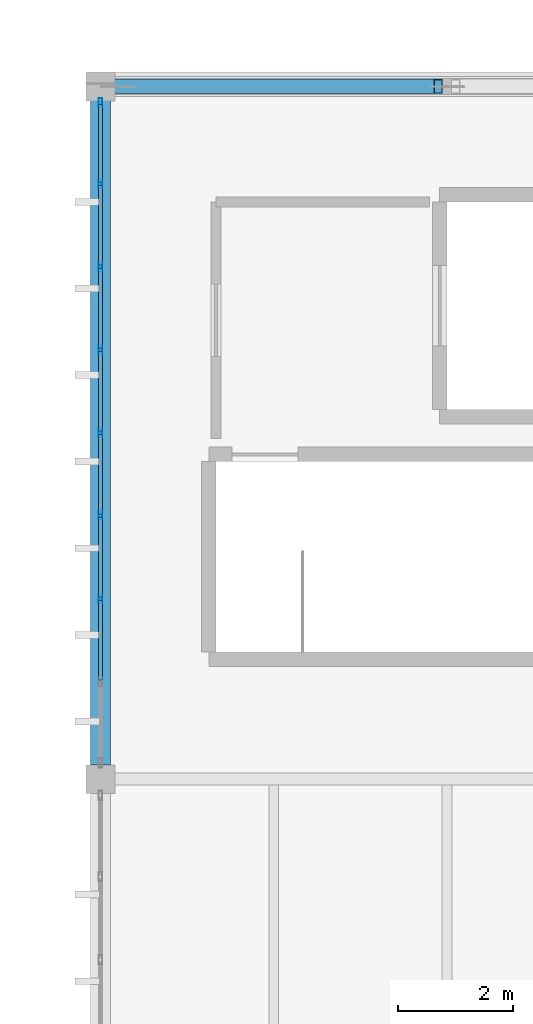
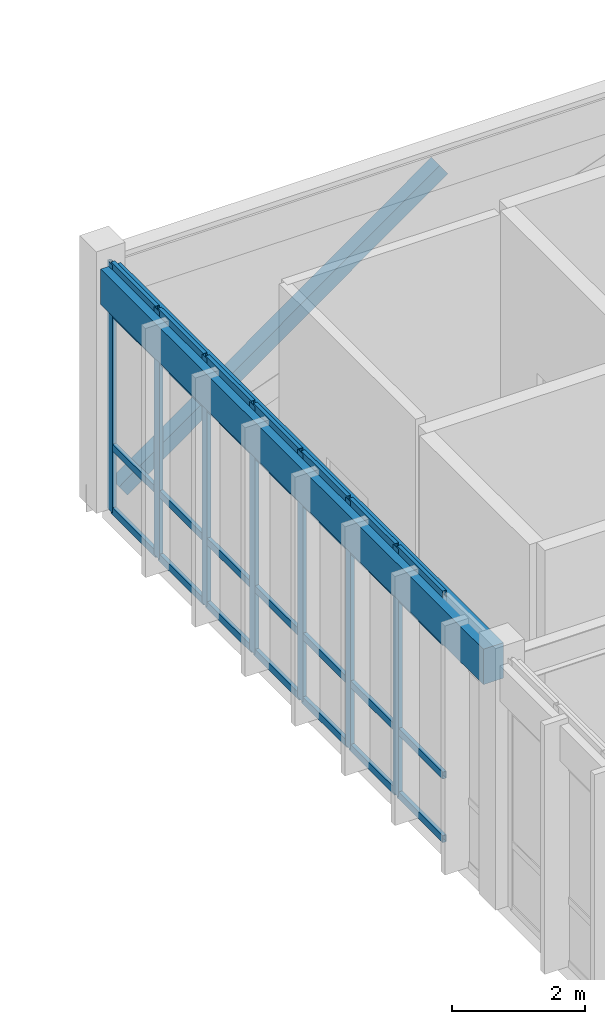
# One storey, part 75 of 236: 36 members, 1 beam, 1 element without a shape of its own.
"""IFC4 building model written with IfcOpenShell, lengths in metres."""

from ifc_helpers import new_model, si_unit, direction, frame, origin, origin_2d, place, context, subcontext, project, spatial, rectangle, hollow_rectangle, extrude, material, layer, layer_set, material_profile, profile_set, type_object, element, aggregate, save


model = new_model("IFC4")

# Units and contexts
model_context = context("Model", 3, precision=1e-05, world=origin(), true_north=direction((0.0, 1.0)))
body_context = subcontext(model_context, "Body", "Model", "MODEL_VIEW")
ifc_project = project(units=[si_unit("LENGTHUNIT", "METRE"), si_unit("AREAUNIT", "SQUARE_METRE"), si_unit("VOLUMEUNIT", "CUBIC_METRE"), si_unit("PLANEANGLEUNIT", "RADIAN"), si_unit("MASSUNIT", "GRAM", prefix="KILO")], contexts=[model_context])

# Site, building, storey
site_placement = place(None, origin())
site = spatial("IfcSite", under=ifc_project, at=site_placement, CompositionType="ELEMENT")
building_placement = place(site_placement, origin())
building = spatial("IfcBuilding", under=site, at=building_placement, Name="Pandanus Reach Market Hall", CompositionType="ELEMENT")
storey_placement = place(building_placement, frame((0.0, 0.0, 5.39990234375)))
storey = spatial("IfcBuildingStorey", under=building, at=storey_placement, Name="L01", CompositionType="ELEMENT", Elevation=5.39990234375)

# Beam
ifc_material_1 = material(Name="Concrete N40 (40 MPa)", Category="concrete")
ifc_material_profile_1 = material_profile(ifc_material_1, rectangle(XDim=0.35009765625, YDim=0.64990234375, at=origin_2d()), Name="RC350x650", Category="LoadBearing")
ifc_profile_set_1 = profile_set([ifc_material_profile_1], Name="Concrete N40 (40 MPa)")
beam_type = type_object("IfcBeamType", Name="BM-RC350-E", PredefinedType="SPANDREL", material=ifc_profile_set_1)
beam_placement = place(storey_placement, frame((60.0, 108.248046875, 4.135009765625), z_axis=(0.0, 1.0, 0.0), x_axis=(-1.0, 0.0, 0.0)))
element("IfcBeam", 1, at=beam_placement, inside=storey, type_object=beam_type, Name="Framing beam BM-RC350-E L01.870", PredefinedType="SPANDREL", context=body_context, shape_type="SweptSolid", body=[
    extrude(rectangle(XDim=0.35009765625, YDim=0.64990234375, at=origin_2d()), origin(), (0.0, 0.0, 1.0), 11.50390625),
])

# Member
ifc_material_2 = material(Name="Steel Grade 350 (350 MPa)", Category="steel")
ifc_material_profile_2 = material_profile(ifc_material_2, hollow_rectangle(XDim=0.25, YDim=0.25, WallThickness=0.010009765625, at=origin_2d()), Name="250x250x10.0SHS", Category="LoadBearing")
ifc_profile_set_2 = profile_set([ifc_material_profile_2], Name="Steel Grade 350 (350 MPa)")
member_type_1 = type_object("IfcMemberType", Name="BR-SHS250-E", PredefinedType="BRACE", material=ifc_profile_set_2)
member_1_placement = place(storey_placement, frame((60.2900390625, 120.0, 0.150146484375), z_axis=(0.815223104533, 0.0, 0.579147036456), x_axis=(0.0, 1.0, 0.0)))
element("IfcMember", 2, at=member_1_placement, inside=storey, type_object=member_type_1, Name="Chevron brace BR-SHS250-E 7A", PredefinedType="BRACE", context=body_context, shape_type="SweptSolid", body=[
    extrude(hollow_rectangle(XDim=0.25, YDim=0.25, WallThickness=0.010009765625, at=origin_2d()), origin(), (0.0, 0.0, 1.0), 6.8203125),
])

# Curtain wall, members
ifc_material_3 = material(Name="Bronze anodised aluminium and low-E glass", Category="aluminium")
ifc_layer = layer(ifc_material_3, 0.159912109375, Name="CW-38")
ifc_layer_set = layer_set([ifc_layer], Name="Bronze anodised aluminium and low-E glass")
curtain_wall_type = type_object("IfcCurtainWallType", Name="CW-38", PredefinedType="NOTDEFINED", material=ifc_layer_set)
curtain_wall_placement = place(storey_placement, origin())
curtain_wall = element("IfcCurtainWall", 3, at=curtain_wall_placement, inside=storey, type_object=curtain_wall_type, Name="Glazed curtain wall CW-38 CW-0151", PredefinedType="NOTDEFINED")
ifc_material_4 = material(Name="Bronze anodised aluminium", Category="aluminium")
ifc_material_profile_3 = material_profile(ifc_material_4, hollow_rectangle(XDim=0.06494140625, YDim=0.159912109375, WallThickness=0.00390625, at=origin_2d()), Name="ALU65x160", Category="LoadBearing")
ifc_profile_set_3 = profile_set([ifc_material_profile_3], Name="Bronze anodised aluminium")
member_type_2 = type_object("IfcMemberType", Name="CW-M1", PredefinedType="MULLION", material=ifc_profile_set_3)
member_2_placement = place(storey_placement, frame((60.0, 111.125, 0.0), z_axis=(0.0, 0.0, 1.0), x_axis=(-1.0, 0.0, 0.0)))
member_2 = element("IfcMember", 4, at=member_2_placement, type_object=member_type_2, Name="CW-38 mullion 3", PredefinedType="MULLION", context=body_context, shape_type="SweptSolid", body=[
    extrude(hollow_rectangle(XDim=0.06494140625, YDim=0.159912109375, WallThickness=0.00390625, at=origin_2d()), origin(), (0.0, 0.0, 1.0), 4.550048828125),
])
member_3_placement = place(storey_placement, frame((60.0, 112.5625, 0.0), z_axis=(0.0, 0.0, 1.0), x_axis=(-1.0, 0.0, 0.0)))
member_3 = element("IfcMember", 5, at=member_3_placement, type_object=member_type_2, Name="CW-38 mullion 4", PredefinedType="MULLION", context=body_context, shape_type="SweptSolid", body=[
    extrude(hollow_rectangle(XDim=0.06494140625, YDim=0.159912109375, WallThickness=0.00390625, at=origin_2d()), origin(), (0.0, 0.0, 1.0), 4.550048828125),
])
member_4_placement = place(storey_placement, frame((60.0, 114.0, 0.0), z_axis=(0.0, 0.0, 1.0), x_axis=(-1.0, 0.0, 0.0)))
member_4 = element("IfcMember", 6, at=member_4_placement, type_object=member_type_2, Name="CW-38 mullion 5", PredefinedType="MULLION", context=body_context, shape_type="SweptSolid", body=[
    extrude(hollow_rectangle(XDim=0.06494140625, YDim=0.159912109375, WallThickness=0.00390625, at=origin_2d()), origin(), (0.0, 0.0, 1.0), 4.550048828125),
])
member_5_placement = place(storey_placement, frame((60.0, 115.4375, 0.0), z_axis=(0.0, 0.0, 1.0), x_axis=(-1.0, 0.0, 0.0)))
member_5 = element("IfcMember", 7, at=member_5_placement, type_object=member_type_2, Name="CW-38 mullion 6", PredefinedType="MULLION", context=body_context, shape_type="SweptSolid", body=[
    extrude(hollow_rectangle(XDim=0.06494140625, YDim=0.159912109375, WallThickness=0.00390625, at=origin_2d()), origin(), (0.0, 0.0, 1.0), 4.550048828125),
])
member_6_placement = place(storey_placement, frame((60.0, 116.875, 0.0), z_axis=(0.0, 0.0, 1.0), x_axis=(-1.0, 0.0, 0.0)))
member_6 = element("IfcMember", 8, at=member_6_placement, type_object=member_type_2, Name="CW-38 mullion 7", PredefinedType="MULLION", context=body_context, shape_type="SweptSolid", body=[
    extrude(hollow_rectangle(XDim=0.06494140625, YDim=0.159912109375, WallThickness=0.00390625, at=origin_2d()), origin(), (0.0, 0.0, 1.0), 4.550048828125),
])
member_7_placement = place(storey_placement, frame((60.0, 118.3125, 0.0), z_axis=(0.0, 0.0, 1.0), x_axis=(-1.0, 0.0, 0.0)))
member_7 = element("IfcMember", 9, at=member_7_placement, type_object=member_type_2, Name="CW-38 mullion 8", PredefinedType="MULLION", context=body_context, shape_type="SweptSolid", body=[
    extrude(hollow_rectangle(XDim=0.06494140625, YDim=0.159912109375, WallThickness=0.00390625, at=origin_2d()), origin(), (0.0, 0.0, 1.0), 4.550048828125),
])
member_8_placement = place(storey_placement, frame((60.0, 119.717529296875, 0.0), z_axis=(0.0, 0.0, 1.0), x_axis=(-1.0, 0.0, 0.0)))
member_8 = element("IfcMember", 10, at=member_8_placement, type_object=member_type_2, Name="CW-38 mullion 9", PredefinedType="MULLION", context=body_context, shape_type="SweptSolid", body=[
    extrude(hollow_rectangle(XDim=0.06494140625, YDim=0.159912109375, WallThickness=0.00390625, at=origin_2d()), origin(), (0.0, 0.0, 1.0), 4.550048828125),
])
ifc_material_profile_4 = material_profile(ifc_material_4, hollow_rectangle(XDim=0.06494140625, YDim=0.1298828125, WallThickness=0.00390625, at=origin_2d()), Name="ALU65x130", Category="LoadBearing")
ifc_profile_set_4 = profile_set([ifc_material_profile_4], Name="Bronze anodised aluminium")
member_type_3 = type_object("IfcMemberType", Name="CW-T1", PredefinedType="USERDEFINED", material=ifc_profile_set_4)
member_9_placement = place(storey_placement, frame((60.0, 109.719970703125, 0.03271484375), z_axis=(0.0, 1.0, 0.0), x_axis=(-1.0, 0.0, 0.0)))
member_9 = element("IfcMember", 11, at=member_9_placement, type_object=member_type_3, Name="CW-38 transom 2.1", ObjectType="TRANSOM", PredefinedType="USERDEFINED", context=body_context, shape_type="SweptSolid", body=[
    extrude(hollow_rectangle(XDim=0.06494140625, YDim=0.1298828125, WallThickness=0.00390625, at=origin_2d()), origin(), (0.0, 0.0, 1.0), 1.37255859375),
])
member_10_placement = place(storey_placement, frame((60.0, 109.719970703125, 1.2001953125), z_axis=(0.0, 1.0, 0.0), x_axis=(-1.0, 0.0, 0.0)))
member_10 = element("IfcMember", 12, at=member_10_placement, type_object=member_type_3, Name="CW-38 transom 2.2", ObjectType="TRANSOM", PredefinedType="USERDEFINED", context=body_context, shape_type="SweptSolid", body=[
    extrude(hollow_rectangle(XDim=0.06494140625, YDim=0.1298828125, WallThickness=0.00390625, at=origin_2d()), origin(), (0.0, 0.0, 1.0), 1.37255859375),
])
member_11_placement = place(storey_placement, frame((60.0, 109.719970703125, 3.650146484375), z_axis=(0.0, 1.0, 0.0), x_axis=(-1.0, 0.0, 0.0)))
member_11 = element("IfcMember", 13, at=member_11_placement, type_object=member_type_3, Name="CW-38 transom 2.3", ObjectType="TRANSOM", PredefinedType="USERDEFINED", context=body_context, shape_type="SweptSolid", body=[
    extrude(hollow_rectangle(XDim=0.06494140625, YDim=0.1298828125, WallThickness=0.00390625, at=origin_2d()), origin(), (0.0, 0.0, 1.0), 1.37255859375),
])
member_12_placement = place(storey_placement, frame((60.0, 109.719970703125, 4.517578125), z_axis=(0.0, 1.0, 0.0), x_axis=(-1.0, 0.0, 0.0)))
member_12 = element("IfcMember", 14, at=member_12_placement, type_object=member_type_3, Name="CW-38 transom 2.4", ObjectType="TRANSOM", PredefinedType="USERDEFINED", context=body_context, shape_type="SweptSolid", body=[
    extrude(hollow_rectangle(XDim=0.06494140625, YDim=0.1298828125, WallThickness=0.00390625, at=origin_2d()), origin(), (0.0, 0.0, 1.0), 1.37255859375),
])
member_13_placement = place(storey_placement, frame((60.0, 111.157470703125, 0.03271484375), z_axis=(0.0, 1.0, 0.0), x_axis=(-1.0, 0.0, 0.0)))
member_13 = element("IfcMember", 15, at=member_13_placement, type_object=member_type_3, Name="CW-38 transom 3.1", ObjectType="TRANSOM", PredefinedType="USERDEFINED", context=body_context, shape_type="SweptSolid", body=[
    extrude(hollow_rectangle(XDim=0.06494140625, YDim=0.1298828125, WallThickness=0.00390625, at=origin_2d()), origin(), (0.0, 0.0, 1.0), 1.37255859375),
])
member_14_placement = place(storey_placement, frame((60.0, 111.157470703125, 1.2001953125), z_axis=(0.0, 1.0, 0.0), x_axis=(-1.0, 0.0, 0.0)))
member_14 = element("IfcMember", 16, at=member_14_placement, type_object=member_type_3, Name="CW-38 transom 3.2", ObjectType="TRANSOM", PredefinedType="USERDEFINED", context=body_context, shape_type="SweptSolid", body=[
    extrude(hollow_rectangle(XDim=0.06494140625, YDim=0.1298828125, WallThickness=0.00390625, at=origin_2d()), origin(), (0.0, 0.0, 1.0), 1.37255859375),
])
member_15_placement = place(storey_placement, frame((60.0, 111.157470703125, 3.650146484375), z_axis=(0.0, 1.0, 0.0), x_axis=(-1.0, 0.0, 0.0)))
member_15 = element("IfcMember", 17, at=member_15_placement, type_object=member_type_3, Name="CW-38 transom 3.3", ObjectType="TRANSOM", PredefinedType="USERDEFINED", context=body_context, shape_type="SweptSolid", body=[
    extrude(hollow_rectangle(XDim=0.06494140625, YDim=0.1298828125, WallThickness=0.00390625, at=origin_2d()), origin(), (0.0, 0.0, 1.0), 1.37255859375),
])
member_16_placement = place(storey_placement, frame((60.0, 111.157470703125, 4.517578125), z_axis=(0.0, 1.0, 0.0), x_axis=(-1.0, 0.0, 0.0)))
member_16 = element("IfcMember", 18, at=member_16_placement, type_object=member_type_3, Name="CW-38 transom 3.4", ObjectType="TRANSOM", PredefinedType="USERDEFINED", context=body_context, shape_type="SweptSolid", body=[
    extrude(hollow_rectangle(XDim=0.06494140625, YDim=0.1298828125, WallThickness=0.00390625, at=origin_2d()), origin(), (0.0, 0.0, 1.0), 1.37255859375),
])
member_17_placement = place(storey_placement, frame((60.0, 112.594970703125, 0.03271484375), z_axis=(0.0, 1.0, 0.0), x_axis=(-1.0, 0.0, 0.0)))
member_17 = element("IfcMember", 19, at=member_17_placement, type_object=member_type_3, Name="CW-38 transom 4.1", ObjectType="TRANSOM", PredefinedType="USERDEFINED", context=body_context, shape_type="SweptSolid", body=[
    extrude(hollow_rectangle(XDim=0.06494140625, YDim=0.1298828125, WallThickness=0.00390625, at=origin_2d()), origin(), (0.0, 0.0, 1.0), 1.37255859375),
])
member_18_placement = place(storey_placement, frame((60.0, 112.594970703125, 1.2001953125), z_axis=(0.0, 1.0, 0.0), x_axis=(-1.0, 0.0, 0.0)))
member_18 = element("IfcMember", 20, at=member_18_placement, type_object=member_type_3, Name="CW-38 transom 4.2", ObjectType="TRANSOM", PredefinedType="USERDEFINED", context=body_context, shape_type="SweptSolid", body=[
    extrude(hollow_rectangle(XDim=0.06494140625, YDim=0.1298828125, WallThickness=0.00390625, at=origin_2d()), origin(), (0.0, 0.0, 1.0), 1.37255859375),
])
member_19_placement = place(storey_placement, frame((60.0, 112.594970703125, 3.650146484375), z_axis=(0.0, 1.0, 0.0), x_axis=(-1.0, 0.0, 0.0)))
member_19 = element("IfcMember", 21, at=member_19_placement, type_object=member_type_3, Name="CW-38 transom 4.3", ObjectType="TRANSOM", PredefinedType="USERDEFINED", context=body_context, shape_type="SweptSolid", body=[
    extrude(hollow_rectangle(XDim=0.06494140625, YDim=0.1298828125, WallThickness=0.00390625, at=origin_2d()), origin(), (0.0, 0.0, 1.0), 1.37255859375),
])
member_20_placement = place(storey_placement, frame((60.0, 112.594970703125, 4.517578125), z_axis=(0.0, 1.0, 0.0), x_axis=(-1.0, 0.0, 0.0)))
member_20 = element("IfcMember", 22, at=member_20_placement, type_object=member_type_3, Name="CW-38 transom 4.4", ObjectType="TRANSOM", PredefinedType="USERDEFINED", context=body_context, shape_type="SweptSolid", body=[
    extrude(hollow_rectangle(XDim=0.06494140625, YDim=0.1298828125, WallThickness=0.00390625, at=origin_2d()), origin(), (0.0, 0.0, 1.0), 1.37255859375),
])
member_21_placement = place(storey_placement, frame((60.0, 114.032470703125, 0.03271484375), z_axis=(0.0, 1.0, 0.0), x_axis=(-1.0, 0.0, 0.0)))
member_21 = element("IfcMember", 23, at=member_21_placement, type_object=member_type_3, Name="CW-38 transom 5.1", ObjectType="TRANSOM", PredefinedType="USERDEFINED", context=body_context, shape_type="SweptSolid", body=[
    extrude(hollow_rectangle(XDim=0.06494140625, YDim=0.1298828125, WallThickness=0.00390625, at=origin_2d()), origin(), (0.0, 0.0, 1.0), 1.37255859375),
])
member_22_placement = place(storey_placement, frame((60.0, 114.032470703125, 1.2001953125), z_axis=(0.0, 1.0, 0.0), x_axis=(-1.0, 0.0, 0.0)))
member_22 = element("IfcMember", 24, at=member_22_placement, type_object=member_type_3, Name="CW-38 transom 5.2", ObjectType="TRANSOM", PredefinedType="USERDEFINED", context=body_context, shape_type="SweptSolid", body=[
    extrude(hollow_rectangle(XDim=0.06494140625, YDim=0.1298828125, WallThickness=0.00390625, at=origin_2d()), origin(), (0.0, 0.0, 1.0), 1.37255859375),
])
member_23_placement = place(storey_placement, frame((60.0, 114.032470703125, 3.650146484375), z_axis=(0.0, 1.0, 0.0), x_axis=(-1.0, 0.0, 0.0)))
member_23 = element("IfcMember", 25, at=member_23_placement, type_object=member_type_3, Name="CW-38 transom 5.3", ObjectType="TRANSOM", PredefinedType="USERDEFINED", context=body_context, shape_type="SweptSolid", body=[
    extrude(hollow_rectangle(XDim=0.06494140625, YDim=0.1298828125, WallThickness=0.00390625, at=origin_2d()), origin(), (0.0, 0.0, 1.0), 1.37255859375),
])
member_24_placement = place(storey_placement, frame((60.0, 114.032470703125, 4.517578125), z_axis=(0.0, 1.0, 0.0), x_axis=(-1.0, 0.0, 0.0)))
member_24 = element("IfcMember", 26, at=member_24_placement, type_object=member_type_3, Name="CW-38 transom 5.4", ObjectType="TRANSOM", PredefinedType="USERDEFINED", context=body_context, shape_type="SweptSolid", body=[
    extrude(hollow_rectangle(XDim=0.06494140625, YDim=0.1298828125, WallThickness=0.00390625, at=origin_2d()), origin(), (0.0, 0.0, 1.0), 1.37255859375),
])
member_25_placement = place(storey_placement, frame((60.0, 115.469970703125, 0.03271484375), z_axis=(0.0, 1.0, 0.0), x_axis=(-1.0, 0.0, 0.0)))
member_25 = element("IfcMember", 27, at=member_25_placement, type_object=member_type_3, Name="CW-38 transom 6.1", ObjectType="TRANSOM", PredefinedType="USERDEFINED", context=body_context, shape_type="SweptSolid", body=[
    extrude(hollow_rectangle(XDim=0.06494140625, YDim=0.1298828125, WallThickness=0.00390625, at=origin_2d()), origin(), (0.0, 0.0, 1.0), 1.37255859375),
])
member_26_placement = place(storey_placement, frame((60.0, 115.469970703125, 1.2001953125), z_axis=(0.0, 1.0, 0.0), x_axis=(-1.0, 0.0, 0.0)))
member_26 = element("IfcMember", 28, at=member_26_placement, type_object=member_type_3, Name="CW-38 transom 6.2", ObjectType="TRANSOM", PredefinedType="USERDEFINED", context=body_context, shape_type="SweptSolid", body=[
    extrude(hollow_rectangle(XDim=0.06494140625, YDim=0.1298828125, WallThickness=0.00390625, at=origin_2d()), origin(), (0.0, 0.0, 1.0), 1.37255859375),
])
member_27_placement = place(storey_placement, frame((60.0, 115.469970703125, 3.650146484375), z_axis=(0.0, 1.0, 0.0), x_axis=(-1.0, 0.0, 0.0)))
member_27 = element("IfcMember", 29, at=member_27_placement, type_object=member_type_3, Name="CW-38 transom 6.3", ObjectType="TRANSOM", PredefinedType="USERDEFINED", context=body_context, shape_type="SweptSolid", body=[
    extrude(hollow_rectangle(XDim=0.06494140625, YDim=0.1298828125, WallThickness=0.00390625, at=origin_2d()), origin(), (0.0, 0.0, 1.0), 1.37255859375),
])
member_28_placement = place(storey_placement, frame((60.0, 115.469970703125, 4.517578125), z_axis=(0.0, 1.0, 0.0), x_axis=(-1.0, 0.0, 0.0)))
member_28 = element("IfcMember", 30, at=member_28_placement, type_object=member_type_3, Name="CW-38 transom 6.4", ObjectType="TRANSOM", PredefinedType="USERDEFINED", context=body_context, shape_type="SweptSolid", body=[
    extrude(hollow_rectangle(XDim=0.06494140625, YDim=0.1298828125, WallThickness=0.00390625, at=origin_2d()), origin(), (0.0, 0.0, 1.0), 1.37255859375),
])
member_29_placement = place(storey_placement, frame((60.0, 116.907470703125, 0.03271484375), z_axis=(0.0, 1.0, 0.0), x_axis=(-1.0, 0.0, 0.0)))
member_29 = element("IfcMember", 31, at=member_29_placement, type_object=member_type_3, Name="CW-38 transom 7.1", ObjectType="TRANSOM", PredefinedType="USERDEFINED", context=body_context, shape_type="SweptSolid", body=[
    extrude(hollow_rectangle(XDim=0.06494140625, YDim=0.1298828125, WallThickness=0.00390625, at=origin_2d()), origin(), (0.0, 0.0, 1.0), 1.37255859375),
])
member_30_placement = place(storey_placement, frame((60.0, 116.907470703125, 1.2001953125), z_axis=(0.0, 1.0, 0.0), x_axis=(-1.0, 0.0, 0.0)))
member_30 = element("IfcMember", 32, at=member_30_placement, type_object=member_type_3, Name="CW-38 transom 7.2", ObjectType="TRANSOM", PredefinedType="USERDEFINED", context=body_context, shape_type="SweptSolid", body=[
    extrude(hollow_rectangle(XDim=0.06494140625, YDim=0.1298828125, WallThickness=0.00390625, at=origin_2d()), origin(), (0.0, 0.0, 1.0), 1.37255859375),
])
member_31_placement = place(storey_placement, frame((60.0, 116.907470703125, 3.650146484375), z_axis=(0.0, 1.0, 0.0), x_axis=(-1.0, 0.0, 0.0)))
member_31 = element("IfcMember", 33, at=member_31_placement, type_object=member_type_3, Name="CW-38 transom 7.3", ObjectType="TRANSOM", PredefinedType="USERDEFINED", context=body_context, shape_type="SweptSolid", body=[
    extrude(hollow_rectangle(XDim=0.06494140625, YDim=0.1298828125, WallThickness=0.00390625, at=origin_2d()), origin(), (0.0, 0.0, 1.0), 1.37255859375),
])
member_32_placement = place(storey_placement, frame((60.0, 116.907470703125, 4.517578125), z_axis=(0.0, 1.0, 0.0), x_axis=(-1.0, 0.0, 0.0)))
member_32 = element("IfcMember", 34, at=member_32_placement, type_object=member_type_3, Name="CW-38 transom 7.4", ObjectType="TRANSOM", PredefinedType="USERDEFINED", context=body_context, shape_type="SweptSolid", body=[
    extrude(hollow_rectangle(XDim=0.06494140625, YDim=0.1298828125, WallThickness=0.00390625, at=origin_2d()), origin(), (0.0, 0.0, 1.0), 1.37255859375),
])
member_33_placement = place(storey_placement, frame((60.0, 118.344970703125, 0.03271484375), z_axis=(0.0, 1.0, 0.0), x_axis=(-1.0, 0.0, 0.0)))
member_33 = element("IfcMember", 35, at=member_33_placement, type_object=member_type_3, Name="CW-38 transom 8.1", ObjectType="TRANSOM", PredefinedType="USERDEFINED", context=body_context, shape_type="SweptSolid", body=[
    extrude(hollow_rectangle(XDim=0.06494140625, YDim=0.1298828125, WallThickness=0.00390625, at=origin_2d()), origin(), (0.0, 0.0, 1.0), 1.340087890625),
])
member_34_placement = place(storey_placement, frame((60.0, 118.344970703125, 1.2001953125), z_axis=(0.0, 1.0, 0.0), x_axis=(-1.0, 0.0, 0.0)))
member_34 = element("IfcMember", 36, at=member_34_placement, type_object=member_type_3, Name="CW-38 transom 8.2", ObjectType="TRANSOM", PredefinedType="USERDEFINED", context=body_context, shape_type="SweptSolid", body=[
    extrude(hollow_rectangle(XDim=0.06494140625, YDim=0.1298828125, WallThickness=0.00390625, at=origin_2d()), origin(), (0.0, 0.0, 1.0), 1.340087890625),
])
member_35_placement = place(storey_placement, frame((60.0, 118.344970703125, 3.650146484375), z_axis=(0.0, 1.0, 0.0), x_axis=(-1.0, 0.0, 0.0)))
member_35 = element("IfcMember", 37, at=member_35_placement, type_object=member_type_3, Name="CW-38 transom 8.3", ObjectType="TRANSOM", PredefinedType="USERDEFINED", context=body_context, shape_type="SweptSolid", body=[
    extrude(hollow_rectangle(XDim=0.06494140625, YDim=0.1298828125, WallThickness=0.00390625, at=origin_2d()), origin(), (0.0, 0.0, 1.0), 1.340087890625),
])
member_36_placement = place(storey_placement, frame((60.0, 118.344970703125, 4.517578125), z_axis=(0.0, 1.0, 0.0), x_axis=(-1.0, 0.0, 0.0)))
member_36 = element("IfcMember", 38, at=member_36_placement, type_object=member_type_3, Name="CW-38 transom 8.4", ObjectType="TRANSOM", PredefinedType="USERDEFINED", context=body_context, shape_type="SweptSolid", body=[
    extrude(hollow_rectangle(XDim=0.06494140625, YDim=0.1298828125, WallThickness=0.00390625, at=origin_2d()), origin(), (0.0, 0.0, 1.0), 1.340087890625),
])
aggregate(curtain_wall, [member_2, member_3, member_4, member_5, member_6, member_7, member_8, member_9, member_10, member_11, member_12, member_13, member_14, member_15, member_16, member_17, member_18, member_19, member_20, member_21, member_22, member_23, member_24, member_25, member_26, member_27, member_28, member_29, member_30, member_31, member_32, member_33, member_34, member_35, member_36])

save(model, "model.ifc")
